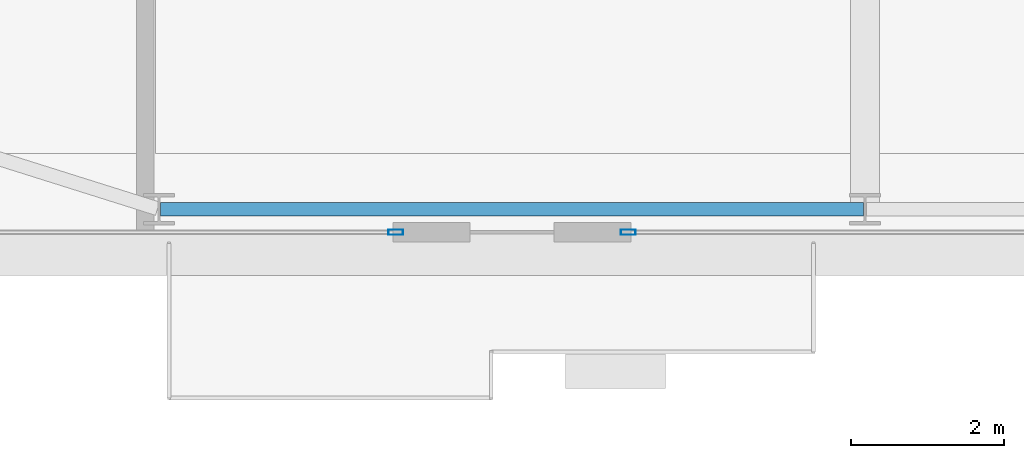
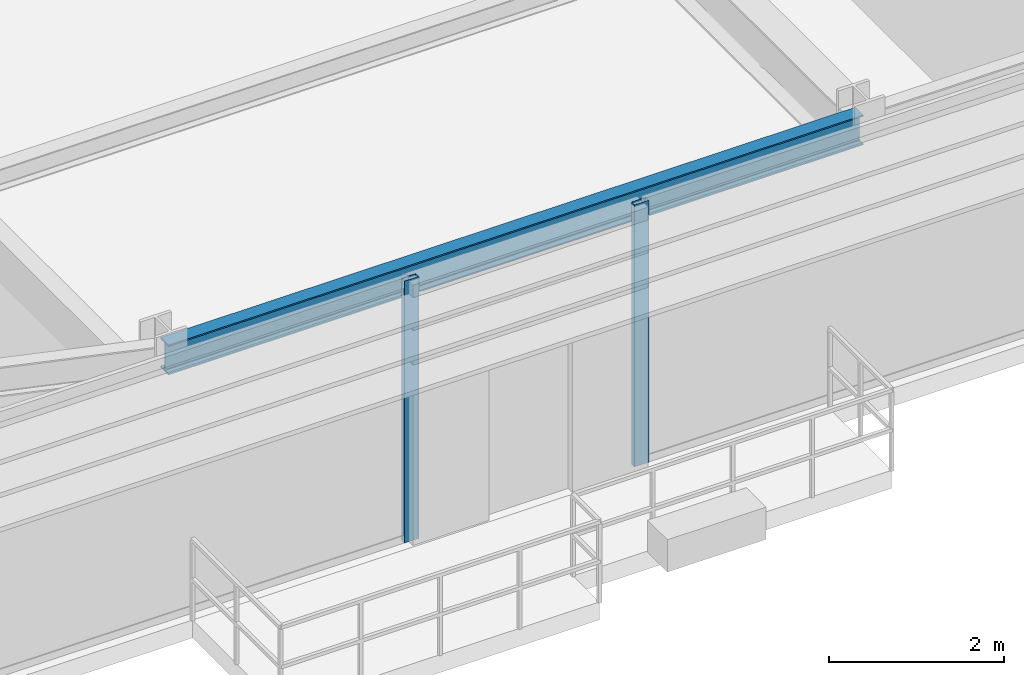
# One storey, part 5 of 31: 2 members, 1 beam, 2 elements without a shape of their own.
"""IFC4 building model written with IfcOpenShell, lengths in metres."""

from ifc_helpers import new_model, si_unit, direction, frame, origin, origin_2d, place, context, subcontext, project, spatial, hollow_rectangle, i_section, extrude, source, transform, mapped, material, layer, layer_set, material_profile, profile_set, type_object, type_shapes, element, aggregate, save


model = new_model("IFC4")

# Units and contexts
model_context = context("Model", 3, precision=1e-05, world=origin(), true_north=direction((0.0, 1.0)))
body_context = subcontext(model_context, "Body", "Model", "MODEL_VIEW")
ifc_project = project(units=[si_unit("LENGTHUNIT", "METRE"), si_unit("AREAUNIT", "SQUARE_METRE"), si_unit("VOLUMEUNIT", "CUBIC_METRE"), si_unit("PLANEANGLEUNIT", "RADIAN"), si_unit("MASSUNIT", "GRAM", prefix="KILO")], contexts=[model_context])

# Site, building, storey
site_placement = place(None, origin())
site = spatial("IfcSite", under=ifc_project, at=site_placement, CompositionType="ELEMENT")
building_placement = place(site_placement, origin())
building = spatial("IfcBuilding", under=site, at=building_placement, Name="Varnel Quay Broadcast Tower", CompositionType="ELEMENT")
storey_placement = place(building_placement, frame((0.0, 0.0, 51.0)))
storey = spatial("IfcBuildingStorey", under=building, at=storey_placement, Name="L11", CompositionType="ELEMENT", Elevation=51.0)

# Beam
ifc_material_1 = material(Name="Structural Steel CSA G40.21 350W", Category="steel")
ifc_material_profile_1 = material_profile(ifc_material_1, i_section(OverallWidth=0.180908203125, OverallDepth=0.4169921875, WebThickness=0.010986328125, FlangeThickness=0.018310546875, FilletRadius=0.011962890625, at=origin_2d()), Name="W410X85")
ifc_profile_set_1 = profile_set([ifc_material_profile_1], Name="Structural Steel CSA G40.21 350W")
beam_type = type_object("IfcBeamType", Name="Beam_W410X85", PredefinedType="SPANDREL", material=ifc_profile_set_1)
shared_shape_1 = source(origin(), body_context, "Body", "SweptSolid", [
    extrude(i_section(OverallWidth=0.180908203125, OverallDepth=0.4169921875, WebThickness=0.010986328125, FlangeThickness=0.018310546875, FilletRadius=0.011962890625, at=origin_2d()), origin(), (0.0, 0.0, 1.0), 9.159912109375),
])
type_shapes(beam_type, [shared_shape_1])
beam_placement = place(storey_placement, frame((15.6201171875, 1.64990234375, 3.44140625), z_axis=(1.0, 0.0, 0.0), x_axis=(0.0, 1.0, 0.0)))
element("IfcBeam", 1, at=beam_placement, inside=storey, type_object=beam_type, Name="L11 South Spandrel TC-S1-TC-S2", PredefinedType="SPANDREL", context=body_context, shape_type="MappedRepresentation", body=[
    mapped(shared_shape_1, transform((0.0, 0.0, 0.0), x_axis=(1.0, 0.0, 0.0), y_axis=(0.0, 1.0, 0.0), z_axis=(0.0, 0.0, 1.0), scale=1.0)),
])

# Curtain wall, member
ifc_material_2 = material(Name="Anodised Bronze Aluminium 6063-T6", Category="aluminium")
ifc_layer = layer(ifc_material_2, 0.18994140625, Name="Anodised Bronze Aluminium 6063-T6")
ifc_layer_set = layer_set([ifc_layer], Name="Anodised Bronze Aluminium 6063-T6")
curtain_wall_type = type_object("IfcCurtainWallType", Name="CW_LowerTower", PredefinedType="NOTDEFINED", material=ifc_layer_set)
curtain_wall_1_placement = place(storey_placement, origin())
curtain_wall_1 = element("IfcCurtainWall", 2, at=curtain_wall_1_placement, inside=storey, type_object=curtain_wall_type, Name="L11 South Unitised Curtain Wall 1", PredefinedType="NOTDEFINED")
ifc_material_profile_2 = material_profile(ifc_material_2, hollow_rectangle(XDim=0.070068359375, YDim=0.18994140625, WallThickness=0.00390625, at=origin_2d()), Name="ALU70X190X4")
ifc_profile_set_2 = profile_set([ifc_material_profile_2], Name="Anodised Bronze Aluminium 6063-T6")
member_type = type_object("IfcMemberType", Name="Mull_CWS-02", PredefinedType="MULLION", material=ifc_profile_set_2)
shared_shape_2 = source(origin(), body_context, "Body", "SweptSolid", [
    extrude(hollow_rectangle(XDim=0.070068359375, YDim=0.18994140625, WallThickness=0.00390625, at=origin_2d()), origin(), (0.0, 0.0, 1.0), 3.64990234375),
])
type_shapes(member_type, [shared_shape_2])
member_1_placement = place(storey_placement, frame((18.68505859375, 1.35009765625, 0.0), z_axis=(0.0, 0.0, 1.0), x_axis=(0.0, 1.0, 0.0)))
member_1 = element("IfcMember", 3, at=member_1_placement, type_object=member_type, Name="CWS-02 mullion 2", PredefinedType="MULLION", context=body_context, shape_type="MappedRepresentation", body=[
    mapped(shared_shape_2, transform((0.0, 0.0, 0.0), x_axis=(1.0, 0.0, 0.0), y_axis=(0.0, 1.0, 0.0), z_axis=(0.0, 0.0, 1.0), scale=1.0)),
])
aggregate(curtain_wall_1, [member_1])

curtain_wall_2_placement = place(storey_placement, origin())
curtain_wall_2 = element("IfcCurtainWall", 4, at=curtain_wall_2_placement, inside=storey, type_object=curtain_wall_type, Name="L11 South Unitised Curtain Wall 2", PredefinedType="NOTDEFINED")
member_2_placement = place(storey_placement, frame((21.715087890625, 1.35009765625, 0.0), z_axis=(0.0, 0.0, 1.0), x_axis=(0.0, 1.0, 0.0)))
member_2 = element("IfcMember", 5, at=member_2_placement, type_object=member_type, Name="CWS-02 mullion 1", PredefinedType="MULLION", context=body_context, shape_type="MappedRepresentation", body=[
    mapped(shared_shape_2, transform((0.0, 0.0, 0.0), x_axis=(1.0, 0.0, 0.0), y_axis=(0.0, 1.0, 0.0), z_axis=(0.0, 0.0, 1.0), scale=1.0)),
])
aggregate(curtain_wall_2, [member_2])

save(model, "model.ifc")
